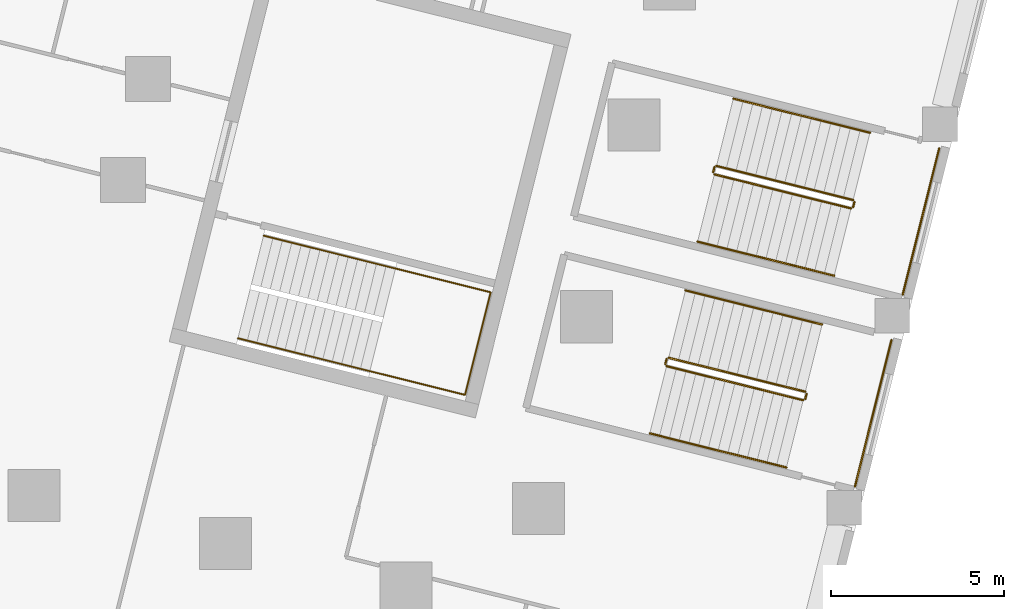
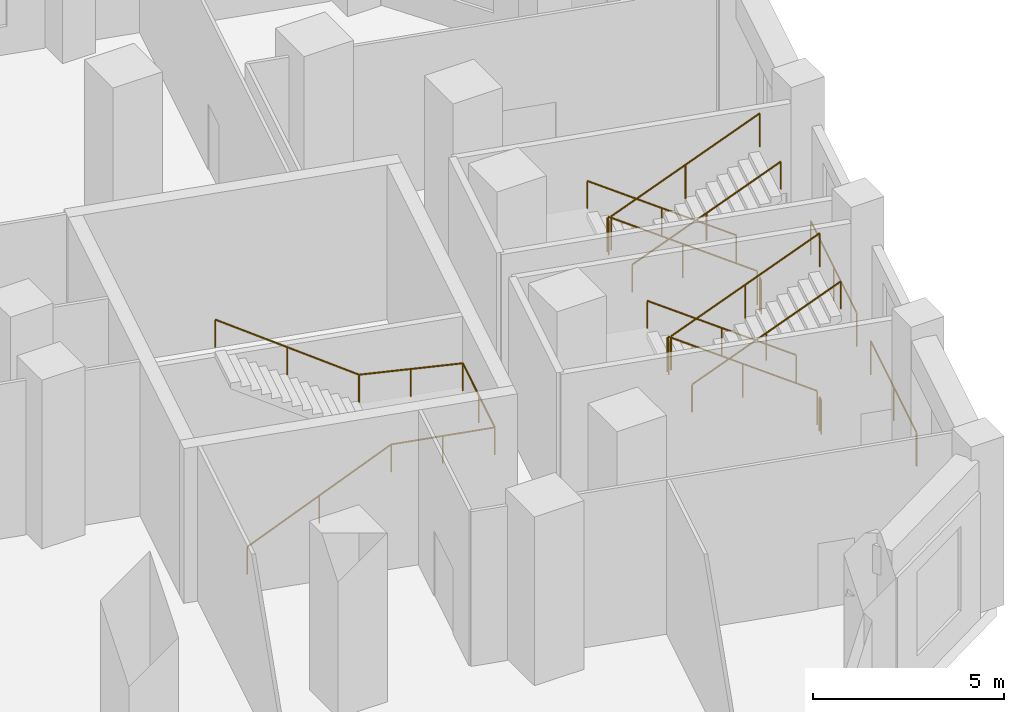
# One storey, part 21 of 23: 15 railings.
"""IFC4 building model written with IfcOpenShell, lengths in metres."""

from ifc_helpers import new_model, si_unit, direction, frame, origin, origin_2d, place, context, subcontext, project, spatial, circle, extrude, material, type_object, element, save


model = new_model("IFC4")

# Units and contexts
model_context = context("Model", 3, precision=1e-05, world=origin(), true_north=direction((0.0, 1.0)))
body_context = subcontext(model_context, "Body", "Model", "MODEL_VIEW")
ifc_project = project(units=[si_unit("LENGTHUNIT", "METRE"), si_unit("AREAUNIT", "SQUARE_METRE"), si_unit("VOLUMEUNIT", "CUBIC_METRE"), si_unit("PLANEANGLEUNIT", "RADIAN"), si_unit("MASSUNIT", "GRAM", prefix="KILO")], contexts=[model_context])

# Site, building, storey
site_placement = place(None, origin())
site = spatial("IfcSite", under=ifc_project, at=site_placement, CompositionType="ELEMENT")
building_placement = place(site_placement, origin())
building = spatial("IfcBuilding", under=site, at=building_placement, Name="Meshkara Civic Tower", CompositionType="ELEMENT")
storey_placement = place(building_placement, frame((0.0, 0.0, 7.199951171875)))
storey = spatial("IfcBuildingStorey", under=building, at=storey_placement, Name="L01", CompositionType="ELEMENT", Elevation=7.199951171875)

# Railings
ifc_material_1 = material(Name="Steel guard", Category="steel")
railing_type_1 = type_object("IfcRailingType", Name="Podium stair guard 1100", PredefinedType="GUARDRAIL", material=ifc_material_1)
railing_1_placement = place(storey_placement, frame((94.407470703125, -14.5361328125, 0.179931640625)))
element("IfcRailing", 1, at=railing_1_placement, inside=storey, type_object=railing_type_1, Name="L01 PS3 stair guard 1", PredefinedType="GUARDRAIL", context=body_context, shape_type="SweptSolid", body=[
    extrude(circle(Radius=0.02392578125, at=origin_2d()), frame((0.0, 0.0, 1.076171875), z_axis=(-0.824404855488, 0.205539212545, 0.527361608722), x_axis=(-0.241913026917, -0.970297937444, 0.0)), (0.0, 0.0, 1.0), 4.778564453125),
    extrude(circle(Radius=0.02099609375, at=origin_2d()), origin(), (0.0, 0.0, 1.0), 1.052001953125),
    extrude(circle(Radius=0.02099609375, at=origin_2d()), frame((-1.9697265625, 0.4912109375, 1.260009765625)), (0.0, 0.0, 1.0), 1.052001953125),
    extrude(circle(Radius=0.02099609375, at=origin_2d()), frame((-3.939453125, 0.982177734375, 2.52001953125)), (0.0, 0.0, 1.0), 1.052001953125),
])
railing_2_placement = place(storey_placement, frame((90.407470703125, -13.59033203125, 2.699951171875)))
element("IfcRailing", 2, at=railing_2_placement, inside=storey, type_object=railing_type_1, Name="L01 PS3 stair guard 2", PredefinedType="GUARDRAIL", context=body_context, shape_type="SweptSolid", body=[
    extrude(circle(Radius=0.02392578125, at=origin_2d()), frame((0.0, 0.0, 1.076171875), z_axis=(-0.242535625036, -0.970142500145, 0.0), x_axis=(0.970142500145, -0.242535625036, 0.0)), (0.0, 0.0, 1.0), 0.14990234375),
    extrude(circle(Radius=0.02099609375, at=origin_2d()), origin(), (0.0, 0.0, 1.0), 1.052001953125),
    extrude(circle(Radius=0.02099609375, at=origin_2d()), frame((-0.036376953125, -0.1455078125, 0.0)), (0.0, 0.0, 1.0), 1.052001953125),
])
railing_3_placement = place(storey_placement, frame((90.407470703125, -13.79638671875, 2.880126953125)))
element("IfcRailing", 3, at=railing_3_placement, inside=storey, type_object=railing_type_1, Name="L01 PS3 stair guard 3", PredefinedType="GUARDRAIL", context=body_context, shape_type="SweptSolid", body=[
    extrude(circle(Radius=0.02392578125, at=origin_2d()), frame((0.0, 0.0, 1.076171875), z_axis=(0.824404855488, -0.205539212545, 0.527361608722), x_axis=(0.241913026917, 0.970297937444, 0.0)), (0.0, 0.0, 1.0), 4.778564453125),
    extrude(circle(Radius=0.02099609375, at=origin_2d()), origin(), (0.0, 0.0, 1.0), 1.052001953125),
    extrude(circle(Radius=0.02099609375, at=origin_2d()), frame((1.9697265625, -0.4912109375, 1.260009765625)), (0.0, 0.0, 1.0), 1.052001953125),
    extrude(circle(Radius=0.02099609375, at=origin_2d()), frame((3.939453125, -0.982177734375, 2.52001953125)), (0.0, 0.0, 1.0), 1.052001953125),
])
railing_4_placement = place(storey_placement, frame((94.44384765625, -14.5966796875, 0.0)))
element("IfcRailing", 4, at=railing_4_placement, inside=storey, type_object=railing_type_1, Name="L01 PS3 stair guard 4", PredefinedType="GUARDRAIL", context=body_context, shape_type="SweptSolid", body=[
    extrude(circle(Radius=0.02392578125, at=origin_2d()), frame((0.0, 0.0, 1.076171875), z_axis=(-0.242535625036, -0.970142500145, 0.0), x_axis=(0.970142500145, -0.242535625036, 0.0)), (0.0, 0.0, 1.0), 0.14990234375),
    extrude(circle(Radius=0.02099609375, at=origin_2d()), origin(), (0.0, 0.0, 1.0), 1.052001953125),
    extrude(circle(Radius=0.02099609375, at=origin_2d()), frame((-0.036376953125, -0.1455078125, 0.0)), (0.0, 0.0, 1.0), 1.052001953125),
])
railing_5_placement = place(storey_placement, frame((96.892578125, -13.04296875, 0.0)))
element("IfcRailing", 5, at=railing_5_placement, inside=storey, type_object=railing_type_1, Name="L01 PS3 stair guard 5", PredefinedType="GUARDRAIL", context=body_context, shape_type="SweptSolid", body=[
    extrude(circle(Radius=0.02392578125, at=origin_2d()), frame((0.0, 0.0, 1.076171875), z_axis=(-0.241954523554, -0.970287590631, 0.0), x_axis=(0.970287590631, -0.241954523554, 0.0)), (0.0, 0.0, 1.0), 4.349853515625),
    extrude(circle(Radius=0.02099609375, at=origin_2d()), origin(), (0.0, 0.0, 1.0), 1.052001953125),
    extrude(circle(Radius=0.02099609375, at=origin_2d()), frame((-0.5263671875, -2.1103515625, 0.0)), (0.0, 0.0, 1.0), 1.052001953125),
    extrude(circle(Radius=0.02099609375, at=origin_2d()), frame((-1.052490234375, -4.220703125, 0.0)), (0.0, 0.0, 1.0), 1.052001953125),
])
railing_6_placement = place(storey_placement, frame((95.786376953125, -9.005126953125, 0.179931640625)))
element("IfcRailing", 6, at=railing_6_placement, inside=storey, type_object=railing_type_1, Name="L01 PS4 stair guard 1", PredefinedType="GUARDRAIL", context=body_context, shape_type="SweptSolid", body=[
    extrude(circle(Radius=0.02392578125, at=origin_2d()), frame((0.0, 0.0, 1.076171875), z_axis=(-0.824404855488, 0.205539212545, 0.527361608722), x_axis=(-0.241913026917, -0.970297937444, 0.0)), (0.0, 0.0, 1.0), 4.778564453125),
    extrude(circle(Radius=0.02099609375, at=origin_2d()), origin(), (0.0, 0.0, 1.0), 1.052001953125),
    extrude(circle(Radius=0.02099609375, at=origin_2d()), frame((-1.9697265625, 0.4912109375, 1.260009765625)), (0.0, 0.0, 1.0), 1.052001953125),
    extrude(circle(Radius=0.02099609375, at=origin_2d()), frame((-3.939453125, 0.982177734375, 2.52001953125)), (0.0, 0.0, 1.0), 1.052001953125),
])
railing_7_placement = place(storey_placement, frame((91.786376953125, -8.059326171875, 2.699951171875)))
element("IfcRailing", 7, at=railing_7_placement, inside=storey, type_object=railing_type_1, Name="L01 PS4 stair guard 2", PredefinedType="GUARDRAIL", context=body_context, shape_type="SweptSolid", body=[
    extrude(circle(Radius=0.02392578125, at=origin_2d()), frame((0.0, 0.0, 1.076171875), z_axis=(-0.241002713716, -0.970524441723, 0.0), x_axis=(0.970524441723, -0.241002713716, 0.0)), (0.0, 0.0, 1.0), 0.14990234375),
    extrude(circle(Radius=0.02099609375, at=origin_2d()), origin(), (0.0, 0.0, 1.0), 1.052001953125),
    extrude(circle(Radius=0.02099609375, at=origin_2d()), frame((-0.0361328125, -0.1455078125, 0.0)), (0.0, 0.0, 1.0), 1.052001953125),
])
railing_8_placement = place(storey_placement, frame((91.78662109375, -8.265380859375, 2.880126953125)))
element("IfcRailing", 8, at=railing_8_placement, inside=storey, type_object=railing_type_1, Name="L01 PS4 stair guard 3", PredefinedType="GUARDRAIL", context=body_context, shape_type="SweptSolid", body=[
    extrude(circle(Radius=0.02392578125, at=origin_2d()), frame((0.0, 0.0, 1.076171875), z_axis=(0.824404855488, -0.205539212545, 0.527361608722), x_axis=(0.241913026917, 0.970297937444, 0.0)), (0.0, 0.0, 1.0), 4.778564453125),
    extrude(circle(Radius=0.02099609375, at=origin_2d()), origin(), (0.0, 0.0, 1.0), 1.052001953125),
    extrude(circle(Radius=0.02099609375, at=origin_2d()), frame((1.9697265625, -0.4912109375, 1.260009765625)), (0.0, 0.0, 1.0), 1.052001953125),
    extrude(circle(Radius=0.02099609375, at=origin_2d()), frame((3.939453125, -0.982177734375, 2.52001953125)), (0.0, 0.0, 1.0), 1.052001953125),
])
railing_9_placement = place(storey_placement, frame((95.82275390625, -9.065673828125, 0.0)))
element("IfcRailing", 9, at=railing_9_placement, inside=storey, type_object=railing_type_1, Name="L01 PS4 stair guard 4", PredefinedType="GUARDRAIL", context=body_context, shape_type="SweptSolid", body=[
    extrude(circle(Radius=0.02392578125, at=origin_2d()), frame((0.0, 0.0, 1.076171875), z_axis=(-0.241002713716, -0.970524441723, 0.0), x_axis=(0.970524441723, -0.241002713716, 0.0)), (0.0, 0.0, 1.0), 0.14990234375),
    extrude(circle(Radius=0.02099609375, at=origin_2d()), origin(), (0.0, 0.0, 1.0), 1.052001953125),
    extrude(circle(Radius=0.02099609375, at=origin_2d()), frame((-0.0361328125, -0.1455078125, 0.0)), (0.0, 0.0, 1.0), 1.052001953125),
])
railing_10_placement = place(storey_placement, frame((98.271484375, -7.511962890625, 0.0)))
element("IfcRailing", 10, at=railing_10_placement, inside=storey, type_object=railing_type_1, Name="L01 PS4 stair guard 5", PredefinedType="GUARDRAIL", context=body_context, shape_type="SweptSolid", body=[
    extrude(circle(Radius=0.02392578125, at=origin_2d()), frame((0.0, 0.0, 1.076171875), z_axis=(-0.241901683224, -0.970300765564, 0.0), x_axis=(0.970300765564, -0.241901683224, 0.0)), (0.0, 0.0, 1.0), 4.349853515625),
    extrude(circle(Radius=0.02099609375, at=origin_2d()), origin(), (0.0, 0.0, 1.0), 1.052001953125),
    extrude(circle(Radius=0.02099609375, at=origin_2d()), frame((-0.526123046875, -2.1103515625, 0.0)), (0.0, 0.0, 1.0), 1.052001953125),
    extrude(circle(Radius=0.02099609375, at=origin_2d()), frame((-1.05224609375, -4.220703125, 0.0)), (0.0, 0.0, 1.0), 1.052001953125),
])
ifc_material_2 = material(Name="Steel handrail", Category="steel")
railing_type_2 = type_object("IfcRailingType", Name="Podium stair handrail 900", PredefinedType="HANDRAIL", material=ifc_material_2)
railing_11_placement = place(storey_placement, frame((94.891357421875, -12.595458984375, 0.179931640625)))
element("IfcRailing", 11, at=railing_11_placement, inside=storey, type_object=railing_type_2, Name="L01 PS3 stair handrail 1", PredefinedType="HANDRAIL", context=body_context, shape_type="SweptSolid", body=[
    extrude(circle(Radius=0.02392578125, at=origin_2d()), frame((0.0, 0.0, 0.8759765625), z_axis=(-0.824404855488, 0.205539212545, 0.527361608722), x_axis=(-0.241913026917, -0.970297937444, 0.0)), (0.0, 0.0, 1.0), 4.778564453125),
    extrude(circle(Radius=0.02099609375, at=origin_2d()), origin(), (0.0, 0.0, 1.0), 0.851806640625),
    extrude(circle(Radius=0.02099609375, at=origin_2d()), frame((-1.9697265625, 0.4912109375, 1.260009765625)), (0.0, 0.0, 1.0), 0.851806640625),
    extrude(circle(Radius=0.02099609375, at=origin_2d()), frame((-3.939453125, 0.982177734375, 2.52001953125)), (0.0, 0.0, 1.0), 0.851806640625),
])
railing_12_placement = place(storey_placement, frame((89.923828125, -15.737060546875, 2.880126953125)))
element("IfcRailing", 12, at=railing_12_placement, inside=storey, type_object=railing_type_2, Name="L01 PS3 stair handrail 2", PredefinedType="HANDRAIL", context=body_context, shape_type="SweptSolid", body=[
    extrude(circle(Radius=0.02392578125, at=origin_2d()), frame((0.0, 0.0, 0.8759765625), z_axis=(0.824388487103, -0.205547870072, 0.527383821747), x_axis=(0.241927142478, 0.970294418067, 0.0)), (0.0, 0.0, 1.0), 4.7783203125),
    extrude(circle(Radius=0.02099609375, at=origin_2d()), origin(), (0.0, 0.0, 1.0), 0.851806640625),
    extrude(circle(Radius=0.02099609375, at=origin_2d()), frame((1.9697265625, -0.4912109375, 1.260009765625)), (0.0, 0.0, 1.0), 0.851806640625),
    extrude(circle(Radius=0.02099609375, at=origin_2d()), frame((3.939208984375, -0.982177734375, 2.52001953125)), (0.0, 0.0, 1.0), 0.851806640625),
])
railing_13_placement = place(storey_placement, frame((96.270263671875, -7.064453125, 0.179931640625)))
element("IfcRailing", 13, at=railing_13_placement, inside=storey, type_object=railing_type_2, Name="L01 PS4 stair handrail 1", PredefinedType="HANDRAIL", context=body_context, shape_type="SweptSolid", body=[
    extrude(circle(Radius=0.02392578125, at=origin_2d()), frame((0.0, 0.0, 0.8759765625), z_axis=(-0.824404855488, 0.205539212545, 0.527361608722), x_axis=(-0.241913026917, -0.970297937444, 0.0)), (0.0, 0.0, 1.0), 4.778564453125),
    extrude(circle(Radius=0.02099609375, at=origin_2d()), origin(), (0.0, 0.0, 1.0), 0.851806640625),
    extrude(circle(Radius=0.02099609375, at=origin_2d()), frame((-1.9697265625, 0.4912109375, 1.260009765625)), (0.0, 0.0, 1.0), 0.851806640625),
    extrude(circle(Radius=0.02099609375, at=origin_2d()), frame((-3.939453125, 0.982177734375, 2.52001953125)), (0.0, 0.0, 1.0), 0.851806640625),
])
railing_14_placement = place(storey_placement, frame((91.302734375, -10.2060546875, 2.880126953125)))
element("IfcRailing", 14, at=railing_14_placement, inside=storey, type_object=railing_type_2, Name="L01 PS4 stair handrail 2", PredefinedType="HANDRAIL", context=body_context, shape_type="SweptSolid", body=[
    extrude(circle(Radius=0.02392578125, at=origin_2d()), frame((0.0, 0.0, 0.8759765625), z_axis=(0.824404855488, -0.205539212545, 0.527361608722), x_axis=(0.241913026917, 0.970297937444, 0.0)), (0.0, 0.0, 1.0), 4.778564453125),
    extrude(circle(Radius=0.02099609375, at=origin_2d()), origin(), (0.0, 0.0, 1.0), 0.851806640625),
    extrude(circle(Radius=0.02099609375, at=origin_2d()), frame((1.9697265625, -0.4912109375, 1.260009765625)), (0.0, 0.0, 1.0), 0.851806640625),
    extrude(circle(Radius=0.02099609375, at=origin_2d()), frame((3.939453125, -0.982177734375, 2.52001953125)), (0.0, 0.0, 1.0), 0.851806640625),
])
ifc_material_3 = material(Name="Steel handrail", Category="steel")
railing_type_3 = type_object("IfcRailingType", Name="Stair handrail 900", PredefinedType="HANDRAIL", material=ifc_material_3)
railing_15_placement = place(storey_placement, frame((78.045166015625, -12.99169921875, 0.179931640625)))
element("IfcRailing", 15, at=railing_15_placement, inside=storey, type_object=railing_type_3, Name="L01 ESB1 stair handrail 1", PredefinedType="HANDRAIL", context=body_context, shape_type="SweptSolid", body=[
    extrude(circle(Radius=0.02392578125, at=origin_2d()), frame((0.0, 0.0, 0.8759765625), z_axis=(0.816160561406, -0.203634129417, 0.540754176445), x_axis=(0.242081322746, 0.970255962712, 0.0)), (0.0, 0.0, 1.0), 4.66015625),
    extrude(circle(Radius=0.02392578125, at=origin_2d()), frame((3.803466796875, -0.948974609375, 3.39599609375), z_axis=(0.97025910369, -0.242068733436, 0.0), x_axis=(0.242068733436, 0.97025910369, 0.0)), (0.0, 0.0, 1.0), 2.830078125),
    extrude(circle(Radius=0.02392578125, at=origin_2d()), frame((6.54931640625, -1.634033203125, 3.39599609375), z_axis=(0.242064726708, 0.970260103315, 0.0), x_axis=(-0.970260103315, 0.242064726708, 0.0)), (0.0, 0.0, 1.0), 3.050048828125),
    extrude(circle(Radius=0.02392578125, at=origin_2d()), frame((7.28759765625, 1.3251953125, 3.39599609375), z_axis=(-0.96829865852, 0.241579624416, 0.063537335288), x_axis=(-0.242068733436, -0.97025910369, 0.0)), (0.0, 0.0, 1.0), 2.835693359375),
    extrude(circle(Radius=0.02392578125, at=origin_2d()), frame((4.541748046875, 2.01025390625, 3.576171875), z_axis=(-0.816160561406, 0.203634129417, 0.540754176445), x_axis=(-0.242081322746, -0.970255962712, 0.0)), (0.0, 0.0, 1.0), 4.66015625),
    extrude(circle(Radius=0.02099609375, at=origin_2d()), origin(), (0.0, 0.0, 1.0), 0.851806640625),
    extrude(circle(Radius=0.02099609375, at=origin_2d()), frame((1.90185546875, -0.474609375, 1.260009765625)), (0.0, 0.0, 1.0), 0.851806640625),
    extrude(circle(Radius=0.02099609375, at=origin_2d()), frame((3.803466796875, -0.948974609375, 2.52001953125)), (0.0, 0.0, 1.0), 0.851806640625),
    extrude(circle(Radius=0.02099609375, at=origin_2d()), frame((5.17626953125, -1.29150390625, 2.52001953125)), (0.0, 0.0, 1.0), 0.851806640625),
    extrude(circle(Radius=0.02099609375, at=origin_2d()), frame((6.54931640625, -1.634033203125, 2.52001953125)), (0.0, 0.0, 1.0), 0.851806640625),
    extrude(circle(Radius=0.02099609375, at=origin_2d()), frame((6.91845703125, -0.154296875, 2.52001953125)), (0.0, 0.0, 1.0), 0.851806640625),
    extrude(circle(Radius=0.02099609375, at=origin_2d()), frame((7.28759765625, 1.3251953125, 2.52001953125)), (0.0, 0.0, 1.0), 0.851806640625),
    extrude(circle(Radius=0.02099609375, at=origin_2d()), frame((5.91455078125, 1.667724609375, 2.610107421875)), (0.0, 0.0, 1.0), 0.851806640625),
    extrude(circle(Radius=0.02099609375, at=origin_2d()), frame((4.541748046875, 2.01025390625, 2.7001953125)), (0.0, 0.0, 1.0), 0.851806640625),
    extrude(circle(Radius=0.02099609375, at=origin_2d()), frame((2.64013671875, 2.48486328125, 3.960205078125)), (0.0, 0.0, 1.0), 0.851806640625),
    extrude(circle(Radius=0.02099609375, at=origin_2d()), frame((0.73828125, 2.959228515625, 5.22021484375)), (0.0, 0.0, 1.0), 0.851806640625),
])

save(model, "model.ifc")
